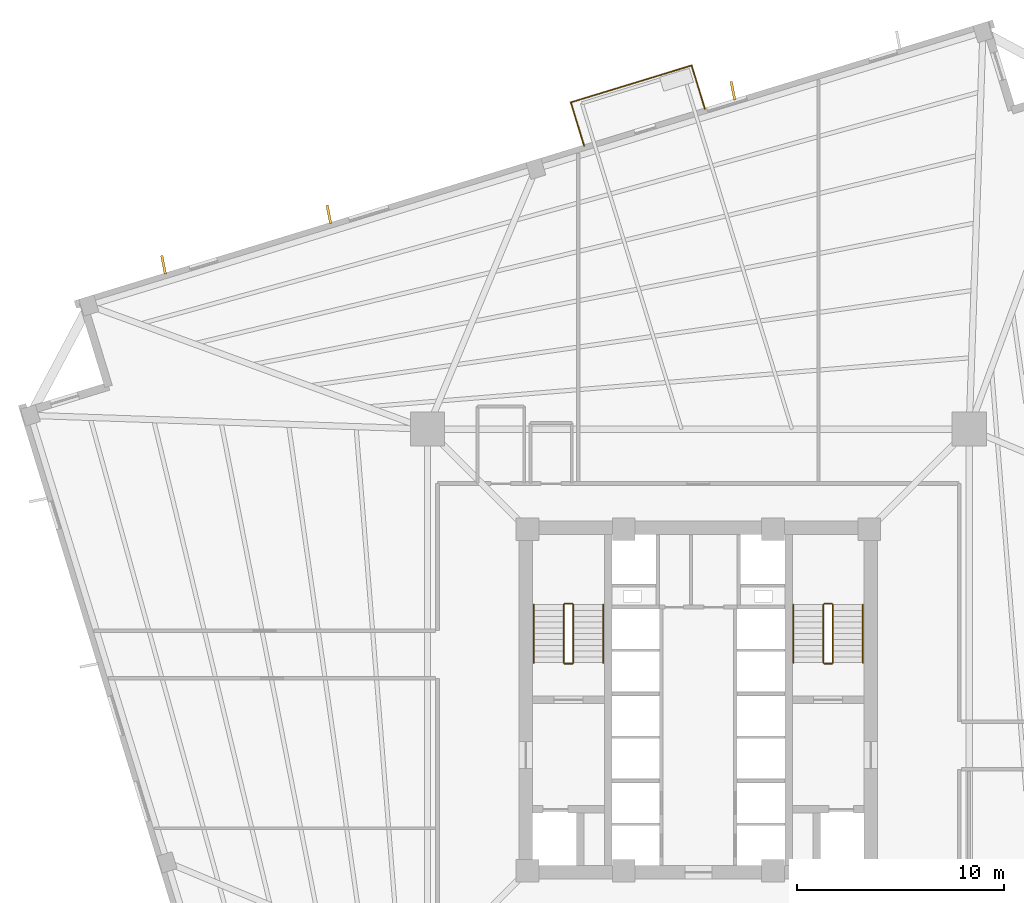
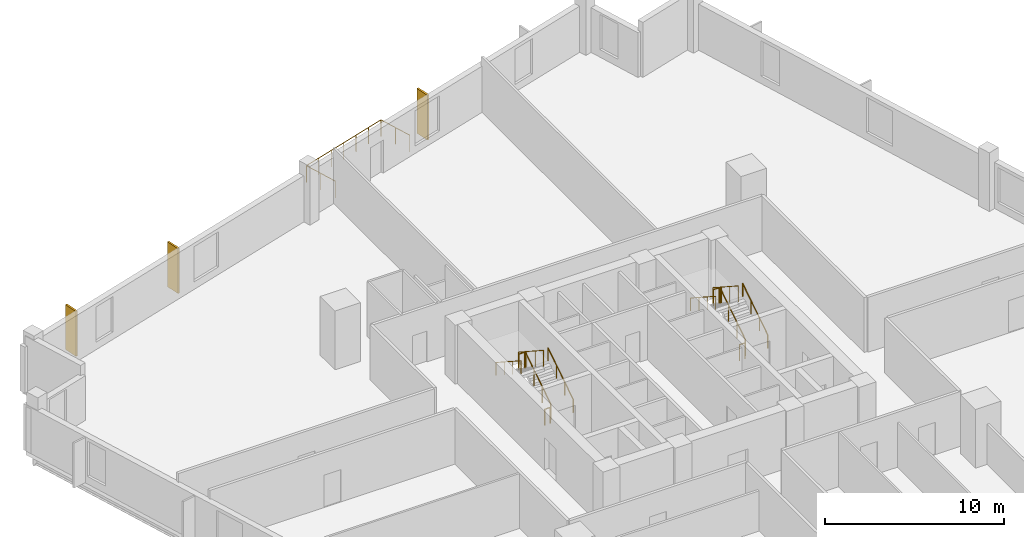
# One storey, part 7 of 8: 15 railings, 3 coverings.
"""IFC4 building model written with IfcOpenShell, lengths in metres."""

from ifc_helpers import new_model, si_unit, direction, frame, origin, origin_2d, place, context, subcontext, project, spatial, rectangle, circle, extrude, source, transform, mapped, material, layer, layer_set, type_object, element, save


model = new_model("IFC4")

# Units and contexts
model_context = context("Model", 3, precision=1e-05, world=origin(), true_north=direction((0.0, 1.0)))
body_context = subcontext(model_context, "Body", "Model", "MODEL_VIEW")
ifc_project = project(units=[si_unit("LENGTHUNIT", "METRE"), si_unit("AREAUNIT", "SQUARE_METRE"), si_unit("VOLUMEUNIT", "CUBIC_METRE"), si_unit("PLANEANGLEUNIT", "RADIAN"), si_unit("MASSUNIT", "GRAM", prefix="KILO"), si_unit("THERMODYNAMICTEMPERATUREUNIT", "KELVIN")], contexts=[model_context])

# Site, building, storey
site_placement = place(None, origin())
site = spatial("IfcSite", under=ifc_project, at=site_placement, CompositionType="ELEMENT")
building_placement = place(site_placement, origin())
building = spatial("IfcBuilding", under=site, at=building_placement, Name="Kosmvard Interchange Tower", CompositionType="ELEMENT")
storey_placement = place(building_placement, frame((0.0, 0.0, 115.199951171875)))
storey = spatial("IfcBuildingStorey", under=building, at=storey_placement, Name="L27", CompositionType="ELEMENT", Elevation=115.199951171875)

# Railings
ifc_material_1 = material(Name="Steel S355", Category="steel")
railing_type_1 = type_object("IfcRailingType", Name="Observation & Balcony Glass-Infill Balustrade 1150", PredefinedType="BALUSTRADE", material=ifc_material_1)
shared_shape_1 = source(origin(), body_context, "Body", "SweptSolid", [
    extrude(circle(Radius=0.02392578125, at=origin_2d()), frame((0.0, 0.0, 1.1259765625), z_axis=(-0.292424349234, 0.956288659336, 0.0), x_axis=(-0.956288659336, -0.292424349234, 0.0)), (0.0, 0.0, 1.0), 2.199951171875),
    extrude(circle(Radius=0.02099609375, at=origin_2d()), origin(), (0.0, 0.0, 1.0), 1.101806640625),
    extrude(circle(Radius=0.02099609375, at=origin_2d()), frame((-0.32177734375, 1.0517578125, 0.0)), (0.0, 0.0, 1.0), 1.101806640625),
    extrude(circle(Radius=0.02099609375, at=origin_2d()), frame((-0.643310546875, 2.103759765625, 0.0)), (0.0, 0.0, 1.0), 1.101806640625),
])
railing_1_placement = place(storey_placement, frame((0.319580078125, 28.54052734375, 0.0)))
element("IfcRailing", 1, at=railing_1_placement, inside=storey, type_object=railing_type_1, Name="L27 Outdoor Terrace Guard BAL-L27-N-A", PredefinedType="BALUSTRADE", context=body_context, shape_type="MappedRepresentation", body=[
    mapped(shared_shape_1, transform((0.0, 0.0, 0.0), scale=1.0)),
])
shared_shape_2 = source(origin(), body_context, "Body", "SweptSolid", [
    extrude(circle(Radius=0.02392578125, at=origin_2d()), frame((0.0, 0.0, 1.1259765625), z_axis=(0.292424349234, -0.956288659336, 0.0), x_axis=(0.956288659336, 0.292424349234, 0.0)), (0.0, 0.0, 1.0), 2.199951171875),
    extrude(circle(Radius=0.02099609375, at=origin_2d()), origin(), (0.0, 0.0, 1.0), 1.101806640625),
    extrude(circle(Radius=0.02099609375, at=origin_2d()), frame((0.32177734375, -1.0517578125, 0.0)), (0.0, 0.0, 1.0), 1.101806640625),
    extrude(circle(Radius=0.02099609375, at=origin_2d()), frame((0.643310546875, -2.103759765625, 0.0)), (0.0, 0.0, 1.0), 1.101806640625),
])
railing_2_placement = place(storey_placement, frame((-6.1572265625, 28.86083984375, 0.0)))
element("IfcRailing", 2, at=railing_2_placement, inside=storey, type_object=railing_type_1, Name="L27 Outdoor Terrace Guard BAL-L27-N-C", PredefinedType="BALUSTRADE", context=body_context, shape_type="MappedRepresentation", body=[
    mapped(shared_shape_2, transform((0.0, 0.0, 0.0), scale=1.0)),
])

# Coverings
ifc_material_2 = material(Name="Architectural anodised aluminium", Category="aluminium")
ifc_layer = layer(ifc_material_2, 0.1201171875, Name="Architectural anodised aluminium")
ifc_layer_set = layer_set([ifc_layer], Name="Architectural anodised aluminium")
covering_type = type_object("IfcCoveringType", Name="Rotating Vertical Sun-Breaker Fin 900x120 Aluminium", PredefinedType="CLADDING", material=ifc_layer_set)
shared_shape_3 = source(origin(), body_context, "Body", "SweptSolid", [
    extrude(rectangle(XDim=0.89990234375, YDim=0.1201171875, at=origin_2d()), origin(), (0.0, 0.0, 1.0), 3.06005859375),
])
for number, where, z_axis, x_axis, name in (
    (3, (1.673583984375, 29.425048828125, 0.0400390625), (0.0, 0.0, 1.0), (-0.189438199716, 0.981892646112, 0.0), "L27 Rotating Vertical Sun-Breaker Fin 10"),
    (4, (-17.841796875, 23.45849609375, 0.0400390625), (0.0, 0.0, 1.0), (-0.189438199716, 0.981892646112, 0.0), "L27 Rotating Vertical Sun-Breaker Fin 11"),
    (5, (-25.825439453125, 21.017822265625, 0.0400390625), (0.0, 0.0, 1.0), (-0.189438199716, 0.981892646112, 0.0), "L27 Rotating Vertical Sun-Breaker Fin 12"),
):
    element("IfcCovering", number, at=place(storey_placement, frame(where, z_axis=z_axis, x_axis=x_axis)), inside=storey, type_object=covering_type, Name=name, PredefinedType="CLADDING", context=body_context, shape_type="MappedRepresentation", body=[
        mapped(shared_shape_3, transform((0.0, 0.0, 0.0), scale=1.0)),
    ])

# Railings
shared_shape_4 = source(origin(), body_context, "Body", "SweptSolid", [
    extrude(circle(Radius=0.02392578125, at=origin_2d()), frame((0.0, 0.0, 1.1259765625), z_axis=(-0.956306198406, -0.292366986664, 0.0), x_axis=(0.292366986664, -0.956306198406, 0.0)), (0.0, 0.0, 1.0), 6.10009765625),
    extrude(circle(Radius=0.02099609375, at=origin_2d()), origin(), (0.0, 0.0, 1.0), 1.101806640625),
    extrude(circle(Radius=0.02099609375, at=origin_2d()), frame((-0.97216796875, -0.29736328125, 0.0)), (0.0, 0.0, 1.0), 1.101806640625),
    extrude(circle(Radius=0.02099609375, at=origin_2d()), frame((-1.944580078125, -0.594482421875, 0.0)), (0.0, 0.0, 1.0), 1.101806640625),
    extrude(circle(Radius=0.02099609375, at=origin_2d()), frame((-2.916748046875, -0.8916015625, 0.0)), (0.0, 0.0, 1.0), 1.101806640625),
    extrude(circle(Radius=0.02099609375, at=origin_2d()), frame((-3.888916015625, -1.18896484375, 0.0)), (0.0, 0.0, 1.0), 1.101806640625),
    extrude(circle(Radius=0.02099609375, at=origin_2d()), frame((-4.861328125, -1.486328125, 0.0)), (0.0, 0.0, 1.0), 1.101806640625),
    extrude(circle(Radius=0.02099609375, at=origin_2d()), frame((-5.83349609375, -1.783447265625, 0.0)), (0.0, 0.0, 1.0), 1.101806640625),
])
railing_3_placement = place(storey_placement, frame((-0.32373046875, 30.644287109375, 0.0)))
element("IfcRailing", 6, at=railing_3_placement, inside=storey, type_object=railing_type_1, Name="L27 Outdoor Terrace Guard BAL-L27-N-B", PredefinedType="BALUSTRADE", context=body_context, shape_type="MappedRepresentation", body=[
    mapped(shared_shape_4, transform((0.0, 0.0, 0.0), scale=1.0)),
])
railing_type_2 = type_object("IfcRailingType", Name="Stair & Terrace Safety Guardrail 1100 Steel", PredefinedType="GUARDRAIL", material=ifc_material_1)
shared_shape_5 = source(origin(), body_context, "Body", "SweptSolid", [
    extrude(circle(Radius=0.02392578125, at=origin_2d()), frame((0.0, 0.0, 1.076171875), z_axis=(-1.0, 0.0, 0.0), x_axis=(0.0, -1.0, 0.0)), (0.0, 0.0, 1.0), 0.35986328125),
    extrude(circle(Radius=0.02099609375, at=origin_2d()), origin(), (0.0, 0.0, 1.0), 1.052001953125),
    extrude(circle(Radius=0.02099609375, at=origin_2d()), frame((-0.35986328125, 0.0, 0.0)), (0.0, 0.0, 1.0), 1.052001953125),
])
for number, where, name in (
    (7, (-6.090087890625, 4.64990234375, 2.0), "L27 ST-1 stair guard 2"),
    (8, (-6.090087890625, 1.75, 0.0), "L27 ST-1 stair guard 4"),
    (9, (6.449951171875, 4.64990234375, 2.0), "L27 ST-2 stair guard 2"),
    (10, (6.449951171875, 1.75, 0.0), "L27 ST-2 stair guard 4"),
):
    element("IfcRailing", number, at=place(storey_placement, frame(where)), inside=storey, type_object=railing_type_2, Name=name, PredefinedType="GUARDRAIL", context=body_context, shape_type="MappedRepresentation", body=[
        mapped(shared_shape_5, transform((0.0, 0.0, 0.0), scale=1.0)),
    ])
shared_shape_6 = source(origin(), body_context, "Body", "SweptSolid", [
    extrude(circle(Radius=0.02392578125, at=origin_2d()), frame((0.0, 0.0, 1.076171875), z_axis=(0.0, 0.838705829183, 0.544584733623), x_axis=(-1.0, 0.0, 0.0)), (0.0, 0.0, 1.0), 3.338623046875),
    extrude(circle(Radius=0.02099609375, at=origin_2d()), origin(), (0.0, 0.0, 1.0), 1.052001953125),
    extrude(circle(Radius=0.02099609375, at=origin_2d()), frame((0.0, 0.933349609375, 0.60595703125)), (0.0, 0.0, 1.0), 1.052001953125),
    extrude(circle(Radius=0.02099609375, at=origin_2d()), frame((0.0, 1.86669921875, 1.212158203125)), (0.0, 0.0, 1.0), 1.052001953125),
    extrude(circle(Radius=0.02099609375, at=origin_2d()), frame((0.0, 2.800048828125, 1.818115234375)), (0.0, 0.0, 1.0), 1.052001953125),
])
for number, where, name in (
    (11, (-6.0400390625, 1.800048828125, 0.181884765625), "L27 ST-1 stair guard 1"),
    (12, (6.5, 1.800048828125, 0.181884765625), "L27 ST-2 stair guard 1"),
):
    element("IfcRailing", number, at=place(storey_placement, frame(where)), inside=storey, type_object=railing_type_2, Name=name, PredefinedType="GUARDRAIL", context=body_context, shape_type="MappedRepresentation", body=[
        mapped(shared_shape_6, transform((0.0, 0.0, 0.0), scale=1.0)),
    ])
shared_shape_7 = source(origin(), body_context, "Body", "SweptSolid", [
    extrude(circle(Radius=0.02392578125, at=origin_2d()), frame((0.0, 0.0, 1.076171875), z_axis=(0.0, -0.838705829183, 0.544584733623), x_axis=(1.0, 0.0, 0.0)), (0.0, 0.0, 1.0), 3.338623046875),
    extrude(circle(Radius=0.02099609375, at=origin_2d()), origin(), (0.0, 0.0, 1.0), 1.052001953125),
    extrude(circle(Radius=0.02099609375, at=origin_2d()), frame((0.0, -0.933349609375, 0.60595703125)), (0.0, 0.0, 1.0), 1.052001953125),
    extrude(circle(Radius=0.02099609375, at=origin_2d()), frame((0.0, -1.86669921875, 1.212158203125)), (0.0, 0.0, 1.0), 1.052001953125),
    extrude(circle(Radius=0.02099609375, at=origin_2d()), frame((0.0, -2.800048828125, 1.818115234375)), (0.0, 0.0, 1.0), 1.052001953125),
])
for number, where, name in (
    (13, (-6.5, 4.60009765625, 2.181884765625), "L27 ST-1 stair guard 3"),
    (14, (6.0400390625, 4.60009765625, 2.181884765625), "L27 ST-2 stair guard 3"),
):
    element("IfcRailing", number, at=place(storey_placement, frame(where)), inside=storey, type_object=railing_type_2, Name=name, PredefinedType="GUARDRAIL", context=body_context, shape_type="MappedRepresentation", body=[
        mapped(shared_shape_7, transform((0.0, 0.0, 0.0), scale=1.0)),
    ])
railing_type_3 = type_object("IfcRailingType", Name="Wall-Mounted Stair Handrail 900 Steel", PredefinedType="HANDRAIL", material=ifc_material_1)
shared_shape_8 = source(origin(), body_context, "Body", "SweptSolid", [
    extrude(circle(Radius=0.02392578125, at=origin_2d()), frame((0.0, 0.0, 0.8759765625), z_axis=(0.0, 0.838705829183, 0.544584733623), x_axis=(-1.0, 0.0, 0.0)), (0.0, 0.0, 1.0), 3.338623046875),
    extrude(circle(Radius=0.02099609375, at=origin_2d()), origin(), (0.0, 0.0, 1.0), 0.851806640625),
    extrude(circle(Radius=0.02099609375, at=origin_2d()), frame((0.0, 0.933349609375, 0.60595703125)), (0.0, 0.0, 1.0), 0.851806640625),
    extrude(circle(Radius=0.02099609375, at=origin_2d()), frame((0.0, 1.86669921875, 1.212158203125)), (0.0, 0.0, 1.0), 0.851806640625),
    extrude(circle(Radius=0.02099609375, at=origin_2d()), frame((0.0, 2.800048828125, 1.818115234375)), (0.0, 0.0, 1.0), 0.851806640625),
])
for number, where, name in (
    (15, (-4.590087890625, 1.800048828125, 0.181884765625), "L27 ST-1 stair handrail 1"),
    (16, (7.949951171875, 1.800048828125, 0.181884765625), "L27 ST-2 stair handrail 1"),
):
    element("IfcRailing", number, at=place(storey_placement, frame(where)), inside=storey, type_object=railing_type_3, Name=name, PredefinedType="HANDRAIL", context=body_context, shape_type="MappedRepresentation", body=[
        mapped(shared_shape_8, transform((0.0, 0.0, 0.0), scale=1.0)),
    ])
shared_shape_9 = source(origin(), body_context, "Body", "SweptSolid", [
    extrude(circle(Radius=0.02392578125, at=origin_2d()), frame((0.0, 0.0, 0.8759765625), z_axis=(0.0, -0.838705829183, 0.544584733623), x_axis=(1.0, 0.0, 0.0)), (0.0, 0.0, 1.0), 3.338623046875),
    extrude(circle(Radius=0.02099609375, at=origin_2d()), origin(), (0.0, 0.0, 1.0), 0.851806640625),
    extrude(circle(Radius=0.02099609375, at=origin_2d()), frame((0.0, -0.933349609375, 0.60595703125)), (0.0, 0.0, 1.0), 0.851806640625),
    extrude(circle(Radius=0.02099609375, at=origin_2d()), frame((0.0, -1.86669921875, 1.212158203125)), (0.0, 0.0, 1.0), 0.851806640625),
    extrude(circle(Radius=0.02099609375, at=origin_2d()), frame((0.0, -2.800048828125, 1.818115234375)), (0.0, 0.0, 1.0), 0.851806640625),
])
for number, where, name in (
    (17, (-7.949951171875, 4.60009765625, 2.181884765625), "L27 ST-1 stair handrail 2"),
    (18, (4.590087890625, 4.60009765625, 2.181884765625), "L27 ST-2 stair handrail 2"),
):
    element("IfcRailing", number, at=place(storey_placement, frame(where)), inside=storey, type_object=railing_type_3, Name=name, PredefinedType="HANDRAIL", context=body_context, shape_type="MappedRepresentation", body=[
        mapped(shared_shape_9, transform((0.0, 0.0, 0.0), scale=1.0)),
    ])

save(model, "model.ifc")
